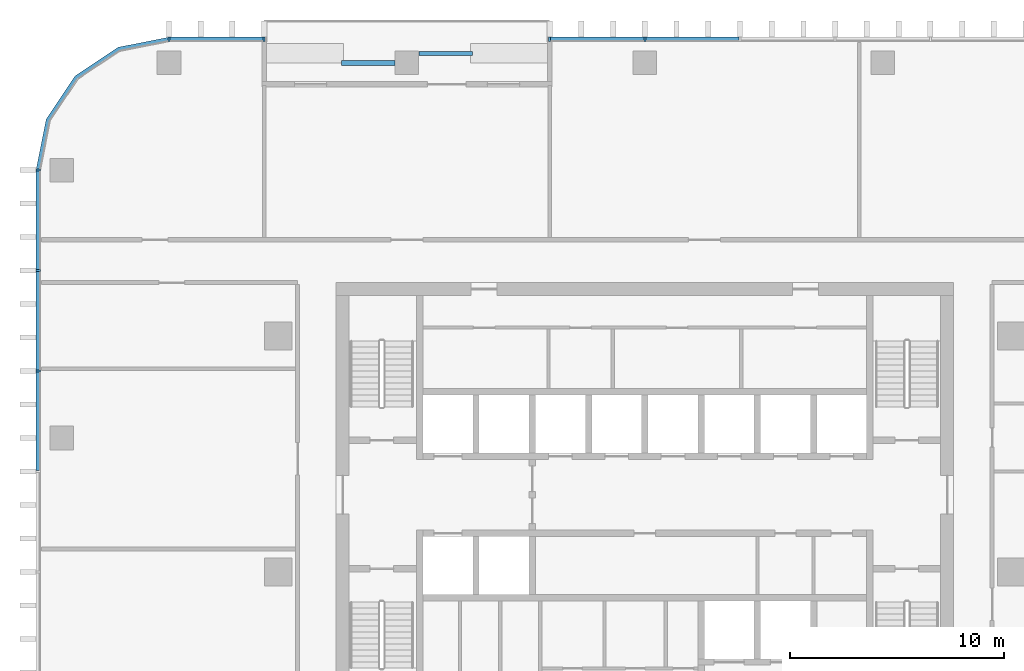
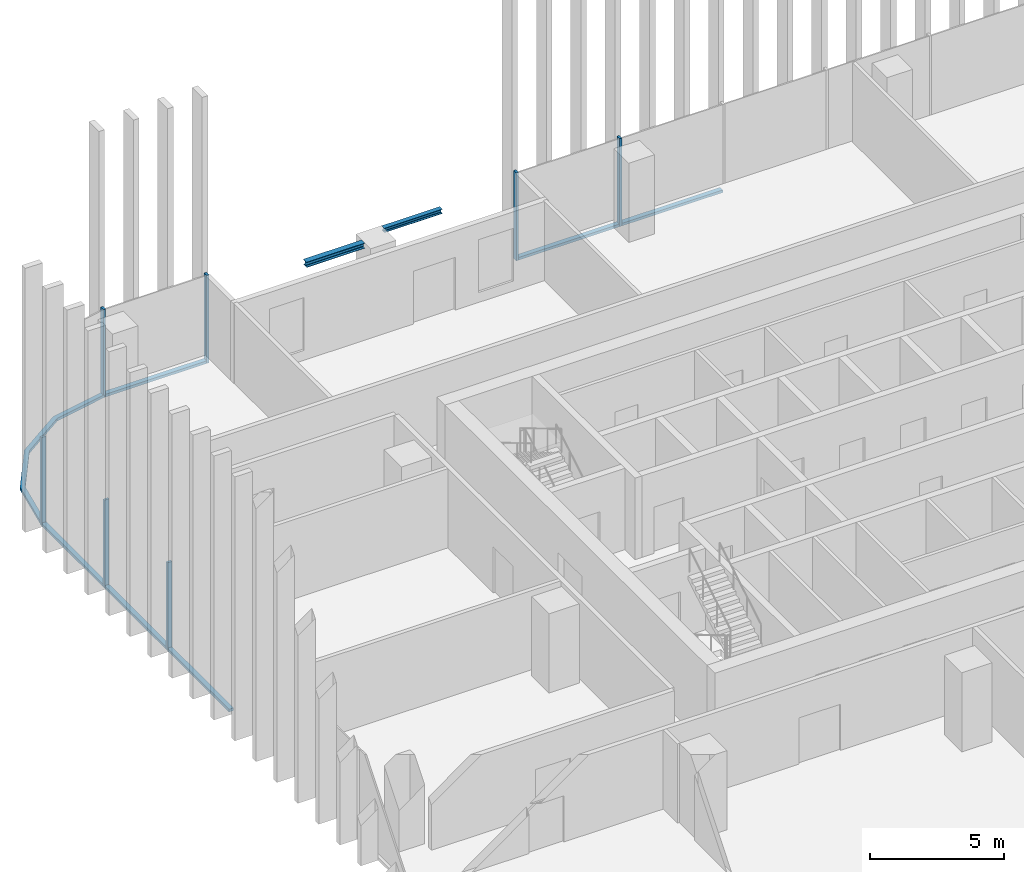
# One storey, part 4 of 15: 14 members, 2 beams, 4 elements without a shape of their own.
"""IFC4 building model written with IfcOpenShell, lengths in metres."""

import ifcopenshell
import ifcopenshell.guid

model = None  # the IFC model being written
_history = None  # IfcOwnerHistory: only IFC2X3 demands one
_inside = {}  # id of a spatial element -> (the spatial element, [elements in it])
_under = {}  # id of a project, library or spatial element -> (it, [spatial elements below it])
_declared = {}  # id of a project -> (the project, [libraries it declares])
_typed = {}  # id of a type object -> (the type object, [elements of that type])
_made_of = {}  # id of a material, layer set ... -> (it, [elements and type objects made of it])


def new_model(schema):
    """Start an empty IFC model of exactly this schema.

    Asked for "IFC4X3", IfcOpenShell would pick the latest addendum, in which some entities
    have other attributes; the version numbers below select the first issue.
    IFC2X3 requires an IfcOwnerHistory on every rooted entity: one is made here for all.
    """
    global model, _history
    if schema == "IFC4X3":
        model = ifcopenshell.file(schema_version=(4, 3, 0, 0))
    else:
        model = ifcopenshell.file(schema=schema)
    _inside.clear()
    _under.clear()
    _declared.clear()
    _typed.clear()
    _made_of.clear()
    _history = None
    if model.schema == "IFC2X3":
        org = make("IfcOrganization", Name="unknown")
        user = make(
            "IfcPersonAndOrganization",
            ThePerson=make("IfcPerson", FamilyName="unknown"),
            TheOrganization=org,
        )
        app = make(
            "IfcApplication",
            ApplicationDeveloper=org,
            Version="unknown",
            ApplicationFullName="unknown",
            ApplicationIdentifier="unknown",
        )
        _history = make(
            "IfcOwnerHistory",
            OwningUser=user,
            OwningApplication=app,
            ChangeAction="ADDED",
            CreationDate=0,
        )
    return model


def make(cls, **values):
    """One entity of the class cls with the attributes given. An attribute that is None is left unset."""
    return model.create_entity(
        cls, **{name: value for name, value in values.items() if value is not None}
    )


def rooted(cls, **values):
    """An entity with a GlobalId (a new one), such as an element, a storey or a relation."""
    return make(cls, GlobalId=ifcopenshell.guid.new(), OwnerHistory=_history, **values)


def si_unit(unit_type, name, prefix=None):
    """IfcSIUnit, for example si_unit("LENGTHUNIT", "METRE", prefix="MILLI")."""
    return make("IfcSIUnit", UnitType=unit_type, Prefix=prefix, Name=name)


def assignment(units):
    """IfcUnitAssignment: the units of a project."""
    return None if units is None else make("IfcUnitAssignment", Units=units)


def point(xyz):
    """IfcCartesianPoint."""
    return None if xyz is None else make("IfcCartesianPoint", Coordinates=xyz)


def direction(xyz):
    """IfcDirection."""
    return None if xyz is None else make("IfcDirection", DirectionRatios=xyz)


def frame(location, z_axis=None, x_axis=None):
    """IfcAxis2Placement3D, a coordinate frame: its origin and axes. An axis left out is left unset."""
    return make(
        "IfcAxis2Placement3D",
        Location=point(location),
        Axis=direction(z_axis),
        RefDirection=direction(x_axis),
    )


def frame_2d(location, x_axis=None):
    """IfcAxis2Placement2D, a coordinate frame in the plane: its origin and x axis."""
    return make(
        "IfcAxis2Placement2D", Location=point(location), RefDirection=direction(x_axis)
    )


def origin():
    """The frame at (0, 0, 0) with its axes left unset."""
    return frame((0.0, 0.0, 0.0))


def origin_2d():
    """The frame at (0, 0) in the plane with its x axis left unset."""
    return frame_2d((0.0, 0.0))


def place(relative_to, where):
    """IfcLocalPlacement: puts the frame where relative to a parent placement (None: the world)."""
    return make(
        "IfcLocalPlacement", PlacementRelTo=relative_to, RelativePlacement=where
    )


def context(
    kind, dimensions, precision=None, world=None, true_north=None, identifier=None
):
    """IfcGeometricRepresentationContext, for example the 3D "Model" context."""
    return make(
        "IfcGeometricRepresentationContext",
        ContextIdentifier=identifier,
        ContextType=kind,
        CoordinateSpaceDimension=dimensions,
        Precision=precision,
        WorldCoordinateSystem=world,
        TrueNorth=true_north,
    )


def subcontext(parent, identifier, kind, view, scale=None):
    """IfcGeometricRepresentationSubContext, for example "Body" below "Model"."""
    return make(
        "IfcGeometricRepresentationSubContext",
        ContextIdentifier=identifier,
        ContextType=kind,
        ParentContext=parent,
        TargetScale=scale,
        TargetView=view,
    )


def project(units=None, contexts=None):
    """IfcProject with its units and contexts."""
    return rooted(
        "IfcProject",
        Name="project",
        RepresentationContexts=contexts,
        UnitsInContext=assignment(units),
    )


def spatial(cls, under=None, at=None, **own):
    """A site, building, storey or space (cls), placed at a placement, below another one or the project."""
    s = rooted(cls, ObjectPlacement=at, **own)
    if under is not None:
        _under.setdefault(under.id(), (under, []))[1].append(s)
    return s


def polyline(points):
    """IfcPolyline through the points."""
    return make("IfcPolyline", Points=[point(p) for p in points])


def profile(cls, at=None, kind="AREA", **sizes):
    """A parametric profile (cls). Its sizes go by their IFC names, for example OverallWidth=200.0."""
    return make(cls, ProfileType=kind, Position=at, **sizes)


def rectangle(**sizes):
    """IfcRectangleProfileDef."""
    return profile("IfcRectangleProfileDef", **sizes)


def i_section(**sizes):
    """IfcIShapeProfileDef."""
    return profile("IfcIShapeProfileDef", **sizes)


def outline(outer, holes=None, kind="AREA"):
    """IfcArbitraryClosedProfileDef: a profile drawn as a closed curve; with holes, ...WithVoids."""
    if holes is None:
        return make("IfcArbitraryClosedProfileDef", ProfileType=kind, OuterCurve=outer)
    return make(
        "IfcArbitraryProfileDefWithVoids",
        ProfileType=kind,
        OuterCurve=outer,
        InnerCurves=holes,
    )


def extrude(swept, where, along, depth):
    """IfcExtrudedAreaSolid: the profile swept, set in the frame where, extruded along a direction by depth."""
    return make(
        "IfcExtrudedAreaSolid",
        SweptArea=swept,
        Position=where,
        ExtrudedDirection=direction(along),
        Depth=depth,
    )


def shape(context_of_items, identifier, shape_type, items):
    """IfcShapeRepresentation: the items that make up one representation, for example the "Body"."""
    return make(
        "IfcShapeRepresentation",
        ContextOfItems=context_of_items,
        RepresentationIdentifier=identifier,
        RepresentationType=shape_type,
        Items=items,
    )


def material(Name=None, Category=None):
    """IfcMaterial."""
    return make("IfcMaterial", Name=Name, Category=Category)


def material_profile(
    of_material, cross_section, Name=None, Category=None, Priority=None
):
    """IfcMaterialProfile: a cross section and its material."""
    return make(
        "IfcMaterialProfile",
        Name=Name,
        Material=of_material,
        Profile=cross_section,
        Priority=Priority,
        Category=Category,
    )


def profile_set(profiles, Name=None, composite=None):
    """IfcMaterialProfileSet."""
    return make(
        "IfcMaterialProfileSet",
        Name=Name,
        MaterialProfiles=profiles,
        CompositeProfile=composite,
    )


def made_of(thing, what):
    """Note that an element or type object is made of a material, layer set ...; save() writes the relation."""
    if what is not None:
        _made_of.setdefault(what.id(), (what, []))[1].append(thing)
    return thing


def type_object(cls, material=None, **own):
    """A type object (cls), such as IfcWallType, which elements share."""
    return made_of(rooted(cls, **own), material)


def element(
    cls,
    number,
    at=None,
    inside=None,
    cuts=None,
    type_object=None,
    material=None,
    context=None,
    identifier="Body",
    shape_type=None,
    held_by="IfcProductDefinitionShape",
    body=None,
    shapes=None,
    **own,
):
    """One element of the class cls, such as IfcWall. Its Tag is "e" and its number.

    at: its placement. inside: the storey or other place that contains it. cuts: it is an
    opening in that element (IfcRelVoidsElement). A single representation is given by context,
    identifier, shape_type and body (its items); several are given by shapes. held_by: the class
    of the entity that holds the representations. save() writes the other relations.
    """
    e = rooted(cls, Tag="e%d" % number, ObjectPlacement=at, **own)
    if body is not None:
        shapes = [shape(context, identifier, shape_type, body)]
    if shapes is not None:
        e.Representation = make(held_by, Representations=shapes)
    if inside is not None:
        _inside.setdefault(inside.id(), (inside, []))[1].append(e)
    if cuts is not None:
        rooted(
            "IfcRelVoidsElement", RelatingBuildingElement=cuts, RelatedOpeningElement=e
        )
    if type_object is not None:
        _typed.setdefault(type_object.id(), (type_object, []))[1].append(e)
    return made_of(e, material)


def aggregate(whole, parts):
    """IfcRelAggregates: a whole, such as a stair, and the parts it consists of."""
    return rooted("IfcRelAggregates", RelatingObject=whole, RelatedObjects=parts)


def save(model, path):
    """Write the relations noted so far, then the file.

    IfcRelAggregates (storeys below a building ...), IfcRelContainedInSpatialStructure (elements
    in a storey), IfcRelDefinesByType, IfcRelAssociatesMaterial and IfcRelDeclares: one each for
    every whole, place, type object, material and project.
    """
    for whole, parts in _under.values():
        aggregate(whole, parts)
    for where, things in _inside.values():
        rooted(
            "IfcRelContainedInSpatialStructure",
            RelatedElements=things,
            RelatingStructure=where,
        )
    for kind, things in _typed.values():
        rooted("IfcRelDefinesByType", RelatedObjects=things, RelatingType=kind)
    for what, things in _made_of.values():
        rooted("IfcRelAssociatesMaterial", RelatedObjects=things, RelatingMaterial=what)
    for by, libraries in _declared.values():
        rooted("IfcRelDeclares", RelatingContext=by, RelatedDefinitions=libraries)
    model.write(path)


model = new_model("IFC4")

# Units and contexts
model_context = context("Model", 3, precision=1e-05, world=origin(), true_north=direction((0.0, 1.0)))
body_context = subcontext(model_context, "Body", "Model", "MODEL_VIEW")
ifc_project = project(units=[si_unit("LENGTHUNIT", "METRE"), si_unit("AREAUNIT", "SQUARE_METRE"), si_unit("VOLUMEUNIT", "CUBIC_METRE"), si_unit("PLANEANGLEUNIT", "RADIAN"), si_unit("MASSUNIT", "GRAM", prefix="KILO")], contexts=[model_context])

# Site, building, storey
site_placement = place(None, origin())
site = spatial("IfcSite", under=ifc_project, at=site_placement, CompositionType="ELEMENT")
building_placement = place(site_placement, origin())
building = spatial("IfcBuilding", under=site, at=building_placement, Name="Mopane Tessera Tower", CompositionType="ELEMENT")
storey_placement = place(building_placement, frame((0.0, 0.0, 223.0)))
storey = spatial("IfcBuildingStorey", under=building, at=storey_placement, Name="L47", CompositionType="ELEMENT", Elevation=223.0)

# Curtain wall, members
ifc_material_1 = material(Name="Aluminium frame", Category="aluminium")
curtain_wall_type = type_object("IfcCurtainWallType", Name="Unitised curtain wall", PredefinedType="NOTDEFINED", material=ifc_material_1)
curtain_wall_1_placement = place(storey_placement, origin())
curtain_wall_1 = element("IfcCurtainWall", 1, at=curtain_wall_1_placement, inside=storey, type_object=curtain_wall_type, Name="e:cw:L47:N:0", PredefinedType="NOTDEFINED")
ifc_material_2 = material(Name="Aluminium frame", Category="aluminium")
ifc_material_profile_1 = material_profile(ifc_material_2, rectangle(XDim=0.10009765625, YDim=0.199951171875, at=origin_2d()))
ifc_profile_set_1 = profile_set([ifc_material_profile_1], Name="Aluminium frame")
member_type_1 = type_object("IfcMemberType", Name="Aluminium mullion 100 x 200", PredefinedType="MULLION", material=ifc_profile_set_1)
member_1_placement = place(storey_placement, frame((0.0, 24.85009765625, -0.39990234375), z_axis=(0.0, 0.0, 1.0), x_axis=(-1.0, 0.0, 0.0)))
member_1 = element("IfcMember", 2, at=member_1_placement, type_object=member_type_1, Name="e:cw:L47:N:0:mu5", PredefinedType="MULLION", context=body_context, shape_type="SweptSolid", body=[
    extrude(rectangle(XDim=0.10009765625, YDim=0.199951171875, at=origin_2d()), origin(), (0.0, 0.0, 1.0), 4.0),
])
member_2_placement = place(storey_placement, frame((-4.43994140625, 24.85009765625, -0.39990234375), z_axis=(0.0, 0.0, 1.0), x_axis=(-1.0, 0.0, 0.0)))
member_2 = element("IfcMember", 3, at=member_2_placement, type_object=member_type_1, Name="e:cw:L47:N:0:mu6", PredefinedType="MULLION", context=body_context, shape_type="SweptSolid", body=[
    extrude(rectangle(XDim=0.10009765625, YDim=0.199951171875, at=origin_2d()), origin(), (0.0, 0.0, 1.0), 4.0),
])

curtain_wall_2_placement = place(storey_placement, origin())
curtain_wall_2 = element("IfcCurtainWall", 4, at=curtain_wall_2_placement, inside=storey, type_object=curtain_wall_type, Name="e:cw:L47:N:9", PredefinedType="NOTDEFINED")
member_3_placement = place(storey_placement, frame((-17.760009765625, 24.85009765625, -0.39990234375), z_axis=(0.0, 0.0, 1.0), x_axis=(-1.0, 0.0, 0.0)))
member_3 = element("IfcMember", 5, at=member_3_placement, type_object=member_type_1, Name="e:cw:L47:N:9:mu9", PredefinedType="MULLION", context=body_context, shape_type="SweptSolid", body=[
    extrude(rectangle(XDim=0.10009765625, YDim=0.199951171875, at=origin_2d()), origin(), (0.0, 0.0, 1.0), 4.0),
])
member_4_placement = place(storey_placement, frame((-22.199951171875, 24.85009765625, -0.39990234375), z_axis=(0.0, 0.0, 1.0), x_axis=(-1.0, 0.0, 0.0)))
member_4 = element("IfcMember", 6, at=member_4_placement, type_object=member_type_1, Name="e:cw:L47:N:9:mu10", PredefinedType="MULLION", context=body_context, shape_type="SweptSolid", body=[
    extrude(rectangle(XDim=0.10009765625, YDim=0.199951171875, at=origin_2d()), origin(), (0.0, 0.0, 1.0), 4.0),
])

curtain_wall_3_placement = place(storey_placement, origin())
curtain_wall_3 = element("IfcCurtainWall", 7, at=curtain_wall_3_placement, inside=storey, type_object=curtain_wall_type, Name="e:cw:L47:W:0", PredefinedType="NOTDEFINED")
member_5_placement = place(storey_placement, frame((-28.300048828125, 18.75, -0.39990234375), z_axis=(0.0, 0.0, 1.0), x_axis=(0.0, -1.0, 0.0)))
member_5 = element("IfcMember", 8, at=member_5_placement, type_object=member_type_1, Name="e:cw:L47:W:0:mu0", PredefinedType="MULLION", context=body_context, shape_type="SweptSolid", body=[
    extrude(rectangle(XDim=0.10009765625, YDim=0.199951171875, at=origin_2d()), origin(), (0.0, 0.0, 1.0), 4.0),
])
member_6_placement = place(storey_placement, frame((-28.300048828125, 14.0625, -0.39990234375), z_axis=(0.0, 0.0, 1.0), x_axis=(0.0, -1.0, 0.0)))
member_6 = element("IfcMember", 9, at=member_6_placement, type_object=member_type_1, Name="e:cw:L47:W:0:mu1", PredefinedType="MULLION", context=body_context, shape_type="SweptSolid", body=[
    extrude(rectangle(XDim=0.10009765625, YDim=0.199951171875, at=origin_2d()), origin(), (0.0, 0.0, 1.0), 4.0),
])
member_7_placement = place(storey_placement, frame((-28.300048828125, 9.375, -0.39990234375), z_axis=(0.0, 0.0, 1.0), x_axis=(0.0, -1.0, 0.0)))
member_7 = element("IfcMember", 10, at=member_7_placement, type_object=member_type_1, Name="e:cw:L47:W:0:mu2", PredefinedType="MULLION", context=body_context, shape_type="SweptSolid", body=[
    extrude(rectangle(XDim=0.10009765625, YDim=0.199951171875, at=origin_2d()), origin(), (0.0, 0.0, 1.0), 4.0),
])

# Member
ifc_material_3 = material(Name="Aluminium frame", Category="aluminium")
ifc_material_profile_2 = material_profile(ifc_material_3, rectangle(XDim=0.199951171875, YDim=0.1201171875, at=origin_2d()))
ifc_profile_set_2 = profile_set([ifc_material_profile_2], Name="Aluminium frame")
member_type_2 = type_object("IfcMemberType", Name="Aluminium transom 200 x 120", PredefinedType="USERDEFINED", material=ifc_profile_set_2)
member_8_placement = place(storey_placement, frame((4.389892578125, 24.85009765625, -0.340087890625), z_axis=(-1.0, 0.0, 0.0), x_axis=(0.0, -1.0, 0.0)))
member_8 = element("IfcMember", 11, at=member_8_placement, type_object=member_type_2, Name="e:cw:L47:N:0:tr4", ObjectType="TRANSOM", PredefinedType="USERDEFINED", context=body_context, shape_type="SweptSolid", body=[
    extrude(rectangle(XDim=0.199951171875, YDim=0.1201171875, at=origin_2d()), origin(), (0.0, 0.0, 1.0), 4.33984375),
])

member_9_placement = place(storey_placement, frame((-0.050048828125, 24.85009765625, -0.340087890625), z_axis=(-1.0, 0.0, 0.0), x_axis=(0.0, -1.0, 0.0)))
member_9 = element("IfcMember", 12, at=member_9_placement, type_object=member_type_2, Name="e:cw:L47:N:0:tr5", ObjectType="TRANSOM", PredefinedType="USERDEFINED", context=body_context, shape_type="SweptSolid", body=[
    extrude(rectangle(XDim=0.199951171875, YDim=0.1201171875, at=origin_2d()), origin(), (0.0, 0.0, 1.0), 4.33984375),
])

aggregate(curtain_wall_1, [member_1, member_2, member_8, member_9])

member_10_placement = place(storey_placement, frame((-17.81005859375, 24.85009765625, -0.340087890625), z_axis=(-1.0, 0.0, 0.0), x_axis=(0.0, -1.0, 0.0)))
member_10 = element("IfcMember", 13, at=member_10_placement, type_object=member_type_2, Name="e:cw:L47:N:9:tr9", ObjectType="TRANSOM", PredefinedType="USERDEFINED", context=body_context, shape_type="SweptSolid", body=[
    extrude(rectangle(XDim=0.199951171875, YDim=0.1201171875, at=origin_2d()), origin(), (0.0, 0.0, 1.0), 4.33984375),
])

aggregate(curtain_wall_2, [member_3, member_4, member_10])

# Curtain wall, member
curtain_wall_4_placement = place(storey_placement, origin())
curtain_wall_4 = element("IfcCurtainWall", 14, at=curtain_wall_4_placement, inside=storey, type_object=curtain_wall_type, Name="e:cw:L47:CN", PredefinedType="NOTDEFINED")
member_11_placement = place(storey_placement, frame((0.0, 0.0, -0.39990234375)))
member_11 = element("IfcMember", 15, at=member_11_placement, type_object=member_type_2, Name="e:cw:L47:CN:tr", ObjectType="TRANSOM", PredefinedType="USERDEFINED", context=body_context, shape_type="SweptSolid", body=[
    extrude(outline(polyline([(-22.199951171875, 24.75), (-24.49609375, 24.293212890625), (-26.442626953125, 22.99267578125), (-27.7431640625, 21.046142578125), (-28.199951171875, 18.75), (-28.39990234375, 18.75), (-27.927978515625, 21.12255859375), (-26.583984375, 23.134033203125), (-24.57275390625, 24.47802734375), (-22.199951171875, 24.949951171875), (-22.199951171875, 24.75)])), origin(), (0.0, 0.0, 1.0), 0.119873046875),
])
aggregate(curtain_wall_4, [member_11])

# Member
member_12_placement = place(storey_placement, frame((-28.300048828125, 18.699951171875, -0.340087890625), z_axis=(0.0, -1.0, 0.0), x_axis=(1.0, 0.0, 0.0)))
member_12 = element("IfcMember", 16, at=member_12_placement, type_object=member_type_2, Name="e:cw:L47:W:0:tr0", ObjectType="TRANSOM", PredefinedType="USERDEFINED", context=body_context, shape_type="SweptSolid", body=[
    extrude(rectangle(XDim=0.199951171875, YDim=0.1201171875, at=origin_2d()), origin(), (0.0, 0.0, 1.0), 4.58740234375),
])

member_13_placement = place(storey_placement, frame((-28.300048828125, 14.012451171875, -0.340087890625), z_axis=(0.0, -1.0, 0.0), x_axis=(1.0, 0.0, 0.0)))
member_13 = element("IfcMember", 17, at=member_13_placement, type_object=member_type_2, Name="e:cw:L47:W:0:tr1", ObjectType="TRANSOM", PredefinedType="USERDEFINED", context=body_context, shape_type="SweptSolid", body=[
    extrude(rectangle(XDim=0.199951171875, YDim=0.1201171875, at=origin_2d()), origin(), (0.0, 0.0, 1.0), 4.58740234375),
])

member_14_placement = place(storey_placement, frame((-28.300048828125, 9.324951171875, -0.340087890625), z_axis=(0.0, -1.0, 0.0), x_axis=(1.0, 0.0, 0.0)))
member_14 = element("IfcMember", 18, at=member_14_placement, type_object=member_type_2, Name="e:cw:L47:W:0:tr2", ObjectType="TRANSOM", PredefinedType="USERDEFINED", context=body_context, shape_type="SweptSolid", body=[
    extrude(rectangle(XDim=0.199951171875, YDim=0.1201171875, at=origin_2d()), origin(), (0.0, 0.0, 1.0), 4.58740234375),
])

aggregate(curtain_wall_3, [member_5, member_6, member_7, member_12, member_13, member_14])

# Beams
ifc_material_4 = material(Name="Structural steel S460", Category="steel")
ifc_material_profile_3 = material_profile(ifc_material_4, i_section(OverallWidth=0.239990234375, OverallDepth=0.239990234375, WebThickness=0.010009765625, FlangeThickness=0.01708984375, FilletRadius=0.02099609375, at=origin_2d()))
ifc_profile_set_3 = profile_set([ifc_material_profile_3], Name="Structural steel S460")
beam_type_1 = type_object("IfcBeamType", Name="Terrace spandrel beam HE 240 B", PredefinedType="SPANDREL", material=ifc_profile_set_3)
beam_1_placement = place(storey_placement, frame((-11.653076171875, 23.75, 3.47998046875), z_axis=(-1.0, 0.0, 0.0), x_axis=(0.0, -1.0, 0.0)))
element("IfcBeam", 19, at=beam_1_placement, inside=storey, type_object=beam_type_1, Name="Terrace spandrel beam N3 L48", PredefinedType="SPANDREL", context=body_context, shape_type="SweptSolid", body=[
    extrude(i_section(OverallWidth=0.239990234375, OverallDepth=0.239990234375, WebThickness=0.010009765625, FlangeThickness=0.01708984375, FilletRadius=0.02099609375, at=origin_2d()), origin(), (0.0, 0.0, 1.0), 2.5),
])
ifc_material_5 = material(Name="Structural steel S460", Category="steel")
ifc_material_profile_4 = material_profile(ifc_material_5, i_section(OverallWidth=0.199951171875, OverallDepth=0.199951171875, WebThickness=0.009033203125, FlangeThickness=0.014892578125, FilletRadius=0.01806640625, at=origin_2d()))
ifc_profile_set_4 = profile_set([ifc_material_profile_4], Name="Structural steel S460")
beam_type_2 = type_object("IfcBeamType", Name="Terrace trimmer beam HE 200 B", PredefinedType="BEAM", material=ifc_profile_set_4)
beam_2_placement = place(storey_placement, frame((-10.547119140625, 24.18994140625, 3.5), z_axis=(1.0, 0.0, 0.0), x_axis=(0.0, 1.0, 0.0)))
element("IfcBeam", 20, at=beam_2_placement, inside=storey, type_object=beam_type_2, Name="Terrace trimmer beam N3 L48", PredefinedType="BEAM", context=body_context, shape_type="SweptSolid", body=[
    extrude(i_section(OverallWidth=0.199951171875, OverallDepth=0.199951171875, WebThickness=0.009033203125, FlangeThickness=0.014892578125, FilletRadius=0.01806640625, at=origin_2d()), origin(), (0.0, 0.0, 1.0), 2.5),
])

save(model, "model.ifc")
